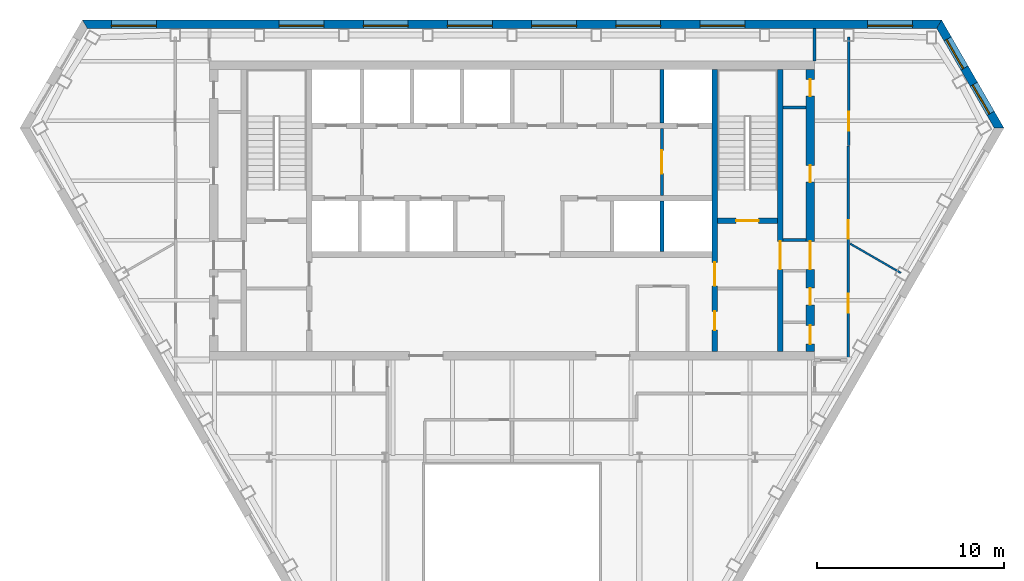
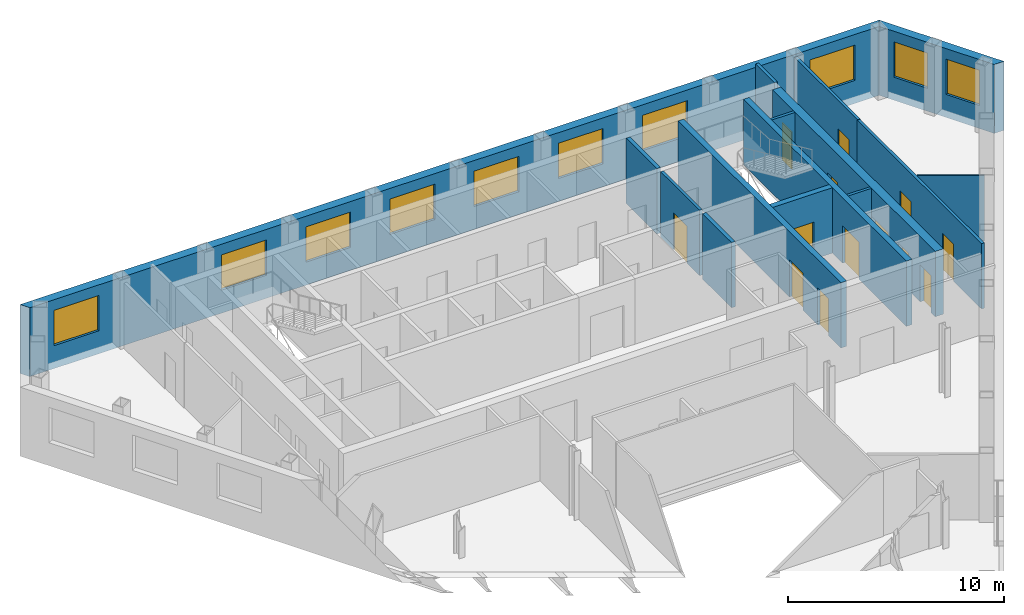
# One storey, part 7 of 10: 15 walls, 13 doors, 10 windows, 23 openings.
"""IFC4 building model written with IfcOpenShell, lengths in metres."""

from ifc_helpers import new_model, si_unit, direction, frame, frame_2d, origin, place, context, subcontext, project, spatial, polyline, rectangle, outline, extrude, material, layer, layer_set, type_object, element, fill, save


model = new_model("IFC4")

# Units and contexts
model_context = context("Model", 3, precision=1e-05, world=origin(), true_north=direction((0.0, 1.0)))
body_context = subcontext(model_context, "Body", "Model", "MODEL_VIEW")
ifc_project = project(units=[si_unit("LENGTHUNIT", "METRE"), si_unit("AREAUNIT", "SQUARE_METRE"), si_unit("VOLUMEUNIT", "CUBIC_METRE"), si_unit("PLANEANGLEUNIT", "RADIAN"), si_unit("MASSUNIT", "GRAM", prefix="KILO")], contexts=[model_context])

# Site, building, storey
site_placement = place(None, origin())
site = spatial("IfcSite", under=ifc_project, at=site_placement, CompositionType="ELEMENT")
building_placement = place(site_placement, origin())
building = spatial("IfcBuilding", under=site, at=building_placement, Name="Njiva Tower", CompositionType="ELEMENT")
storey_placement = place(building_placement, frame((0.0, 0.0, 231.6)))
storey = spatial("IfcBuildingStorey", under=building, at=storey_placement, Name="L52", CompositionType="ELEMENT", Elevation=231.6)

# Wall, openings, doors
ifc_material_1 = material(Name="Concrete C40/50", Category="concrete")
ifc_layer_1 = layer(ifc_material_1, 0.3)
ifc_layer_set_1 = layer_set([ifc_layer_1], Name="Concrete C40/50")
wall_type_1 = type_object("IfcWallType", Name="WT10 Stair enclosure wall 300", PredefinedType="SHEAR", material=ifc_layer_set_1)
wall_1_placement = place(storey_placement, frame((10.85, 2.45, 0.0), z_axis=(0.0, 0.0, 1.0), x_axis=(0.0, 1.0, 0.0)))
wall_1 = element("IfcWall", 1, at=wall_1_placement, inside=storey, type_object=wall_type_1, Name="Stair wall east inner", PredefinedType="SHEAR", context=body_context, shape_type="SweptSolid", body=[
    extrude(rectangle(XDim=15.1, YDim=0.3, at=frame_2d((7.55, 0.0))), origin(), (0.0, 0.0, 1.0), 3.7),
])
opening_1_placement = place(wall_1_placement, frame((3.525, 0.0, 0.0)))
opening_1 = element("IfcOpeningElement", 2, at=opening_1_placement, cuts=wall_1, Name="Opening S17-D920", PredefinedType="OPENING", context=body_context, shape_type="SweptSolid", body=[
    extrude(rectangle(XDim=1.25, YDim=2.1, at=frame_2d((0.625, 1.05))), frame((0.0, 0.16, 0.0), z_axis=(0.0, -1.0, 0.0), x_axis=(1.0, 0.0, 0.0)), (0.0, 0.0, 1.0), 0.32),
])
opening_2_placement = place(wall_1_placement, frame((1.15, 0.0, 0.0)))
opening_2 = element("IfcOpeningElement", 3, at=opening_2_placement, cuts=wall_1, Name="Opening S17-D921", PredefinedType="OPENING", context=body_context, shape_type="SweptSolid", body=[
    extrude(rectangle(XDim=1.0, YDim=2.1, at=frame_2d((0.5, 1.05))), frame((0.0, 0.16, 0.0), z_axis=(0.0, -1.0, 0.0), x_axis=(1.0, 0.0, 0.0)), (0.0, 0.0, 1.0), 0.32),
])
ifc_material_2 = material(Name="Steel door, painted", Category="steel")
door_type_1 = type_object("IfcDoorType", Name="D5 Steel door 1000x2100", OperationType="SINGLE_SWING_LEFT", PredefinedType="DOOR", material=ifc_material_2)
door_1_placement = place(opening_2_placement, origin())
door_1 = element("IfcDoor", 4, at=door_1_placement, inside=storey, type_object=door_type_1, Name="Meeting room door", OperationType="SINGLE_SWING_LEFT", OverallHeight=2.1, OverallWidth=1.0, PredefinedType="DOOR", context=body_context, shape_type="SweptSolid", body=[
    extrude(rectangle(XDim=1.0, YDim=2.1, at=frame_2d((0.5, 1.05))), frame((0.0, 0.025, 0.0), z_axis=(0.0, -1.0, 0.0), x_axis=(1.0, 0.0, 0.0)), (0.0, 0.0, 1.0), 0.05),
])
fill(opening_2, door_1)
ifc_material_3 = material(Name="Glazed steel fire door", Category="steel")
door_type_2 = type_object("IfcDoorType", Name="D8 Vestibule corridor door 1250x2100 glazed", OperationType="SINGLE_SWING_LEFT", PredefinedType="DOOR", material=ifc_material_3)
door_2_placement = place(opening_1_placement, origin())
door_2 = element("IfcDoor", 5, at=door_2_placement, inside=storey, type_object=door_type_2, Name="Stair vestibule corridor door", OperationType="SINGLE_SWING_RIGHT", OverallHeight=2.1, OverallWidth=1.25, PredefinedType="DOOR", context=body_context, shape_type="SweptSolid", body=[
    extrude(rectangle(XDim=1.25, YDim=2.1, at=frame_2d((0.625, 1.05))), frame((0.0, 0.025, 0.0), z_axis=(0.0, -1.0, 0.0), x_axis=(1.0, 0.0, 0.0)), (0.0, 0.0, 1.0), 0.05),
])
fill(opening_1, door_2)

# Wall, opening, door
wall_2_placement = place(storey_placement, frame((14.35, 2.45, 0.0), z_axis=(0.0, 0.0, 1.0), x_axis=(0.0, 1.0, 0.0)))
wall_2 = element("IfcWall", 6, at=wall_2_placement, inside=storey, type_object=wall_type_1, Name="Stair wall east outer", PredefinedType="SHEAR", context=body_context, shape_type="SweptSolid", body=[
    extrude(rectangle(XDim=15.1, YDim=0.3, at=frame_2d((7.55, 0.0))), origin(), (0.0, 0.0, 1.0), 3.7),
])
opening_3_placement = place(wall_2_placement, frame((4.4, 0.0, 0.0)))
opening_3 = element("IfcOpeningElement", 7, at=opening_3_placement, cuts=wall_2, Name="Opening S17-D928", PredefinedType="OPENING", context=body_context, shape_type="SweptSolid", body=[
    extrude(rectangle(XDim=1.5, YDim=2.1, at=frame_2d((0.75, 1.05))), frame((0.0, 0.16, 0.0), z_axis=(0.0, -1.0, 0.0), x_axis=(1.0, 0.0, 0.0)), (0.0, 0.0, 1.0), 0.32),
])
door_type_3 = type_object("IfcDoorType", Name="D10 Exit door double 1500x2100 glazed", OperationType="DOUBLE_DOOR_SINGLE_SWING", PredefinedType="DOOR", material=ifc_material_3)
door_3_placement = place(opening_3_placement, origin())
door_3 = element("IfcDoor", 8, at=door_3_placement, inside=storey, type_object=door_type_3, Name="Stair B passage door", OperationType="DOUBLE_DOOR_SINGLE_SWING", OverallHeight=2.1, OverallWidth=1.5, PredefinedType="DOOR", context=body_context, shape_type="SweptSolid", body=[
    extrude(rectangle(XDim=1.5, YDim=2.1, at=frame_2d((0.75, 1.05))), frame((0.0, 0.025, 0.0), z_axis=(0.0, -1.0, 0.0), x_axis=(1.0, 0.0, 0.0)), (0.0, 0.0, 1.0), 0.05),
])
fill(opening_3, door_3)

wall_3_placement = place(storey_placement, frame((11.0, 9.45, 0.0), z_axis=(0.0, 0.0, 1.0), x_axis=(1.0, 0.0, 0.0)))
wall_3 = element("IfcWall", 9, at=wall_3_placement, inside=storey, type_object=wall_type_1, Name="Stair B south wall", PredefinedType="SHEAR", context=body_context, shape_type="SweptSolid", body=[
    extrude(rectangle(XDim=3.2, YDim=0.3, at=frame_2d((1.6, 0.0))), origin(), (0.0, 0.0, 1.0), 3.7),
])
opening_4_placement = place(wall_3_placement, frame((1.0, 0.0, 0.0)))
opening_4 = element("IfcOpeningElement", 10, at=opening_4_placement, cuts=wall_3, Name="Opening S17-D919", PredefinedType="OPENING", context=body_context, shape_type="SweptSolid", body=[
    extrude(rectangle(XDim=1.2, YDim=2.1, at=frame_2d((0.6, 1.05))), frame((0.0, 0.16, 0.0), z_axis=(0.0, -1.0, 0.0), x_axis=(1.0, 0.0, 0.0)), (0.0, 0.0, 1.0), 0.32),
])
door_type_4 = type_object("IfcDoorType", Name="D7 Stair vestibule door 1200x2100 glazed", OperationType="SINGLE_SWING_LEFT", PredefinedType="DOOR", material=ifc_material_3)
door_4_placement = place(opening_4_placement, origin())
door_4 = element("IfcDoor", 11, at=door_4_placement, inside=storey, type_object=door_type_4, Name="Stair B door", OperationType="SINGLE_SWING_LEFT", OverallHeight=2.1, OverallWidth=1.2, PredefinedType="DOOR", context=body_context, shape_type="SweptSolid", body=[
    extrude(rectangle(XDim=1.2, YDim=2.1, at=frame_2d((0.6, 1.05))), frame((0.0, 0.025, 0.0), z_axis=(0.0, -1.0, 0.0), x_axis=(1.0, 0.0, 0.0)), (0.0, 0.0, 1.0), 0.05),
])
fill(opening_4, door_4)

# Wall, openings, doors
ifc_material_4 = material(Name="Concrete C60/75", Category="concrete")
ifc_layer_2 = layer(ifc_material_4, 0.45)
ifc_layer_set_2 = layer_set([ifc_layer_2], Name="Concrete C60/75")
wall_type_2 = type_object("IfcWallType", Name="WT12 Core wall 450", PredefinedType="SHEAR", material=ifc_layer_set_2)
wall_4_placement = place(storey_placement, frame((15.975, 2.45, 0.0), z_axis=(0.0, 0.0, 1.0), x_axis=(0.0, 1.0, 0.0)))
wall_4 = element("IfcWall", 12, at=wall_4_placement, inside=storey, type_object=wall_type_2, Name="Core wall east", PredefinedType="SHEAR", context=body_context, shape_type="SweptSolid", body=[
    extrude(rectangle(XDim=15.1, YDim=0.45, at=frame_2d((7.55, 0.0))), origin(), (0.0, 0.0, 1.0), 3.7),
])
opening_5_placement = place(wall_4_placement, frame((4.4, 0.0, 0.0)))
opening_5 = element("IfcOpeningElement", 13, at=opening_5_placement, cuts=wall_4, Name="Opening S17-D929", PredefinedType="OPENING", context=body_context, shape_type="SweptSolid", body=[
    extrude(rectangle(XDim=1.5, YDim=2.1, at=frame_2d((0.75, 1.05))), frame((0.0, 0.235, 0.0), z_axis=(0.0, -1.0, 0.0), x_axis=(1.0, 0.0, 0.0)), (0.0, 0.0, 1.0), 0.47),
])
opening_6_placement = place(wall_4_placement, frame((0.4, 0.0, 0.0)))
opening_6 = element("IfcOpeningElement", 14, at=opening_6_placement, cuts=wall_4, Name="Opening S17-D930", PredefinedType="OPENING", context=body_context, shape_type="SweptSolid", body=[
    extrude(rectangle(XDim=1.0, YDim=2.1, at=frame_2d((0.5, 1.05))), frame((0.0, 0.235, 0.0), z_axis=(0.0, -1.0, 0.0), x_axis=(1.0, 0.0, 0.0)), (0.0, 0.0, 1.0), 0.47),
])
opening_7_placement = place(wall_4_placement, frame((2.5, 0.0, 0.0)))
opening_7 = element("IfcOpeningElement", 15, at=opening_7_placement, cuts=wall_4, Name="Opening S17-D931", PredefinedType="OPENING", context=body_context, shape_type="SweptSolid", body=[
    extrude(rectangle(XDim=0.9, YDim=2.1, at=frame_2d((0.45, 1.05))), frame((0.0, 0.235, 0.0), z_axis=(0.0, -1.0, 0.0), x_axis=(1.0, 0.0, 0.0)), (0.0, 0.0, 1.0), 0.47),
])
opening_8_placement = place(wall_4_placement, frame((9.0707, 0.0, 0.0)))
opening_8 = element("IfcOpeningElement", 16, at=opening_8_placement, cuts=wall_4, Name="Opening S17-D932", PredefinedType="OPENING", context=body_context, shape_type="SweptSolid", body=[
    extrude(rectangle(XDim=0.9, YDim=2.1, at=frame_2d((0.45, 1.05))), frame((0.0, 0.235, 0.0), z_axis=(0.0, -1.0, 0.0), x_axis=(1.0, 0.0, 0.0)), (0.0, 0.0, 1.0), 0.47),
])
opening_9_placement = place(wall_4_placement, frame((13.6707, 0.0, 0.0)))
opening_9 = element("IfcOpeningElement", 17, at=opening_9_placement, cuts=wall_4, Name="Opening S17-D933", PredefinedType="OPENING", context=body_context, shape_type="SweptSolid", body=[
    extrude(rectangle(XDim=0.9, YDim=2.1, at=frame_2d((0.45, 1.05))), frame((0.0, 0.235, 0.0), z_axis=(0.0, -1.0, 0.0), x_axis=(1.0, 0.0, 0.0)), (0.0, 0.0, 1.0), 0.47),
])
door_5_placement = place(opening_5_placement, origin())
door_5 = element("IfcDoor", 18, at=door_5_placement, inside=storey, type_object=door_type_3, Name="Stair B corridor door", OperationType="DOUBLE_DOOR_SINGLE_SWING", OverallHeight=2.1, OverallWidth=1.5, PredefinedType="DOOR", context=body_context, shape_type="SweptSolid", body=[
    extrude(rectangle(XDim=1.5, YDim=2.1, at=frame_2d((0.75, 1.05))), frame((0.0, 0.025, 0.0), z_axis=(0.0, -1.0, 0.0), x_axis=(1.0, 0.0, 0.0)), (0.0, 0.0, 1.0), 0.05),
])
fill(opening_5, door_5)
door_type_5 = type_object("IfcDoorType", Name="D4 Riser door 900x2100", OperationType="SINGLE_SWING_LEFT", PredefinedType="DOOR", material=ifc_material_2)
door_6_placement = place(opening_9_placement, origin())
door_6 = element("IfcDoor", 19, at=door_6_placement, inside=storey, type_object=door_type_5, Name="Cable riser door", OperationType="SINGLE_SWING_RIGHT", OverallHeight=2.1, OverallWidth=0.9, PredefinedType="DOOR", context=body_context, shape_type="SweptSolid", body=[
    extrude(rectangle(XDim=0.9, YDim=2.1, at=frame_2d((0.45, 1.05))), frame((0.0, 0.025, 0.0), z_axis=(0.0, -1.0, 0.0), x_axis=(1.0, 0.0, 0.0)), (0.0, 0.0, 1.0), 0.05),
])
fill(opening_9, door_6)
door_7_placement = place(opening_6_placement, origin())
door_7 = element("IfcDoor", 20, at=door_7_placement, inside=storey, type_object=door_type_1, Name="Telecoms room door", OperationType="SINGLE_SWING_LEFT", OverallHeight=2.1, OverallWidth=1.0, PredefinedType="DOOR", context=body_context, shape_type="SweptSolid", body=[
    extrude(rectangle(XDim=1.0, YDim=2.1, at=frame_2d((0.5, 1.05))), frame((0.0, 0.025, 0.0), z_axis=(0.0, -1.0, 0.0), x_axis=(1.0, 0.0, 0.0)), (0.0, 0.0, 1.0), 0.05),
])
fill(opening_6, door_7)
ifc_material_5 = material(Name="Steel fire door, painted", Category="steel")
door_type_6 = type_object("IfcDoorType", Name="D6 Fire-rated door 900x2100", OperationType="SINGLE_SWING_LEFT", PredefinedType="DOOR", material=ifc_material_5)
door_8_placement = place(opening_7_placement, origin())
door_8 = element("IfcDoor", 21, at=door_8_placement, inside=storey, type_object=door_type_6, Name="Cable store door", OperationType="SINGLE_SWING_LEFT", OverallHeight=2.1, OverallWidth=0.9, PredefinedType="DOOR", context=body_context, shape_type="SweptSolid", body=[
    extrude(rectangle(XDim=0.9, YDim=2.1, at=frame_2d((0.45, 1.05))), frame((0.0, 0.025, 0.0), z_axis=(0.0, -1.0, 0.0), x_axis=(1.0, 0.0, 0.0)), (0.0, 0.0, 1.0), 0.05),
])
fill(opening_7, door_8)
door_9_placement = place(opening_8_placement, origin())
door_9 = element("IfcDoor", 22, at=door_9_placement, inside=storey, type_object=door_type_6, Name="Cable store door", OperationType="SINGLE_SWING_RIGHT", OverallHeight=2.1, OverallWidth=0.9, PredefinedType="DOOR", context=body_context, shape_type="SweptSolid", body=[
    extrude(rectangle(XDim=0.9, YDim=2.1, at=frame_2d((0.45, 1.05))), frame((0.0, 0.025, 0.0), z_axis=(0.0, -1.0, 0.0), x_axis=(1.0, 0.0, 0.0)), (0.0, 0.0, 1.0), 0.05),
])
fill(opening_8, door_9)

# Wall, opening, door
ifc_material_6 = material(Name="Blockwork", Category="masonry")
ifc_layer_3 = layer(ifc_material_6, 0.15)
ifc_layer_set_3 = layer_set([ifc_layer_3], Name="Blockwork")
wall_type_3 = type_object("IfcWallType", Name="WT2 Lobby partition 150", PredefinedType="PARTITIONING", material=ifc_layer_set_3)
wall_5_placement = place(storey_placement, frame((8.025, 10.8, 0.0), z_axis=(0.0, 0.0, 1.0), x_axis=(0.0, 1.0, 0.0)))
wall_5 = element("IfcWall", 23, at=wall_5_placement, inside=storey, type_object=wall_type_3, Name="Firefighting lobby wall B", PredefinedType="PARTITIONING", context=body_context, shape_type="SweptSolid", body=[
    extrude(rectangle(XDim=3.6, YDim=0.15, at=frame_2d((1.8, 0.0))), origin(), (0.0, 0.0, 1.0), 3.7),
])
opening_10_placement = place(wall_5_placement, frame((1.175, 0.0, 0.0)))
opening_10 = element("IfcOpeningElement", 24, at=opening_10_placement, cuts=wall_5, Name="Opening S17-D918", PredefinedType="OPENING", context=body_context, shape_type="SweptSolid", body=[
    extrude(rectangle(XDim=1.25, YDim=2.1, at=frame_2d((0.625, 1.05))), frame((0.0, 0.085, 0.0), z_axis=(0.0, -1.0, 0.0), x_axis=(1.0, 0.0, 0.0)), (0.0, 0.0, 1.0), 0.17),
])
door_10_placement = place(opening_10_placement, origin())
door_10 = element("IfcDoor", 25, at=door_10_placement, inside=storey, type_object=door_type_2, Name="Stair vestibule corridor door", OperationType="SINGLE_SWING_LEFT", OverallHeight=2.1, OverallWidth=1.25, PredefinedType="DOOR", context=body_context, shape_type="SweptSolid", body=[
    extrude(rectangle(XDim=1.25, YDim=2.1, at=frame_2d((0.625, 1.05))), frame((0.0, 0.025, 0.0), z_axis=(0.0, -1.0, 0.0), x_axis=(1.0, 0.0, 0.0)), (0.0, 0.0, 1.0), 0.05),
])
fill(opening_10, door_10)

# Walls
ifc_material_7 = material(Name="Gypsum board on steel studs", Category="gypsum")
ifc_layer_4 = layer(ifc_material_7, 0.1)
ifc_layer_set_4 = layer_set([ifc_layer_4], Name="Gypsum board on steel studs")
wall_type_4 = type_object("IfcWallType", Name="WT20 Gypsum partition 100", PredefinedType="PARTITIONING", material=ifc_layer_set_4)
wall_6_placement = place(storey_placement, frame((18.1, 8.229, 0.0), z_axis=(0.0, 0.0, 1.0), x_axis=(0.866058244174, -0.499943114462, 0.0)))
element("IfcWall", 26, at=wall_6_placement, inside=storey, type_object=wall_type_4, Name="Partition S17-P028", PredefinedType="PARTITIONING", context=body_context, shape_type="SweptSolid", body=[
    extrude(rectangle(XDim=3.1384, YDim=0.1, at=frame_2d((1.5692, 0.0))), origin(), (0.0, 0.0, 1.0), 3.7),
])
ifc_layer_5 = layer(ifc_material_7, 0.15)
ifc_layer_set_5 = layer_set([ifc_layer_5], Name="Gypsum board on steel studs")
wall_type_5 = type_object("IfcWallType", Name="WT21 Compartment wall 150", PredefinedType="PARTITIONING", material=ifc_layer_set_5)
wall_7_placement = place(storey_placement, frame((16.2, 18.0, 0.0), z_axis=(0.0, 0.0, 1.0), x_axis=(0.0, 1.0, 0.0)))
element("IfcWall", 27, at=wall_7_placement, inside=storey, type_object=wall_type_5, Name="Partition S17-P025", PredefinedType="PARTITIONING", context=body_context, shape_type="SweptSolid", body=[
    extrude(rectangle(XDim=1.75, YDim=0.15, at=frame_2d((0.875, 0.0))), origin(), (0.0, 0.0, 1.0), 3.7),
])

# Wall, openings, doors
wall_8_placement = place(storey_placement, frame((18.0, 1.925, 0.0), z_axis=(0.0, 0.0, 1.0), x_axis=(0.0, 1.0, 0.0)))
wall_8 = element("IfcWall", 28, at=wall_8_placement, inside=storey, type_object=wall_type_5, Name="Partition S17-P026", PredefinedType="PARTITIONING", context=body_context, shape_type="SweptSolid", body=[
    extrude(rectangle(XDim=11.533, YDim=0.15, at=frame_2d((5.7665, 0.0))), origin(), (0.0, 0.0, 1.0), 3.7),
])
opening_11_placement = place(wall_8_placement, frame((2.609, 0.0, 0.0)))
opening_11 = element("IfcOpeningElement", 29, at=opening_11_placement, cuts=wall_8, Name="Opening S17-D016", PredefinedType="OPENING", context=body_context, shape_type="SweptSolid", body=[
    extrude(rectangle(XDim=1.0, YDim=2.1, at=frame_2d((0.5, 1.05))), frame((0.0, 0.085, 0.0), z_axis=(0.0, -1.0, 0.0), x_axis=(1.0, 0.0, 0.0)), (0.0, 0.0, 1.0), 0.17),
])
opening_12_placement = place(wall_8_placement, frame((6.562, 0.0, 0.0)))
opening_12 = element("IfcOpeningElement", 30, at=opening_12_placement, cuts=wall_8, Name="Opening S17-D017", PredefinedType="OPENING", context=body_context, shape_type="SweptSolid", body=[
    extrude(rectangle(XDim=1.0, YDim=2.1, at=frame_2d((0.5, 1.05))), frame((0.0, 0.085, 0.0), z_axis=(0.0, -1.0, 0.0), x_axis=(1.0, 0.0, 0.0)), (0.0, 0.0, 1.0), 0.17),
])
ifc_material_8 = material(Name="Steel fire door set", Category="steel")
door_type_7 = type_object("IfcDoorType", Name="D37 Fire door 1000x2100", OperationType="SINGLE_SWING_LEFT", PredefinedType="DOOR", material=ifc_material_8)
door_11_placement = place(opening_11_placement, origin())
door_11 = element("IfcDoor", 31, at=door_11_placement, inside=storey, type_object=door_type_7, Name="Door S17-D016", OperationType="SINGLE_SWING_LEFT", OverallHeight=2.1, OverallWidth=1.0, PredefinedType="DOOR", context=body_context, shape_type="SweptSolid", body=[
    extrude(rectangle(XDim=1.0, YDim=2.1, at=frame_2d((0.5, 1.05))), frame((0.0, 0.025, 0.0), z_axis=(0.0, -1.0, 0.0), x_axis=(1.0, 0.0, 0.0)), (0.0, 0.0, 1.0), 0.05),
])
fill(opening_11, door_11)
door_12_placement = place(opening_12_placement, origin())
door_12 = element("IfcDoor", 32, at=door_12_placement, inside=storey, type_object=door_type_7, Name="Door S17-D017", OperationType="SINGLE_SWING_RIGHT", OverallHeight=2.1, OverallWidth=1.0, PredefinedType="DOOR", context=body_context, shape_type="SweptSolid", body=[
    extrude(rectangle(XDim=1.0, YDim=2.1, at=frame_2d((0.5, 1.05))), frame((0.0, 0.025, 0.0), z_axis=(0.0, -1.0, 0.0), x_axis=(1.0, 0.0, 0.0)), (0.0, 0.0, 1.0), 0.05),
])
fill(opening_12, door_12)

# Wall, opening, door
wall_9_placement = place(storey_placement, frame((18.027, 13.476, 0.0), z_axis=(0.0, 0.0, 1.0), x_axis=(0.0, 1.0, 0.0)))
wall_9 = element("IfcWall", 33, at=wall_9_placement, inside=storey, type_object=wall_type_5, Name="Partition S17-P027", PredefinedType="PARTITIONING", context=body_context, shape_type="SweptSolid", body=[
    extrude(rectangle(XDim=5.824, YDim=0.15, at=frame_2d((2.912, 0.0))), origin(), (0.0, 0.0, 1.0), 3.7),
])
opening_13_placement = place(wall_9_placement, frame((0.803, 0.0, 0.0)))
opening_13 = element("IfcOpeningElement", 34, at=opening_13_placement, cuts=wall_9, Name="Opening S17-D018", PredefinedType="OPENING", context=body_context, shape_type="SweptSolid", body=[
    extrude(rectangle(XDim=1.0, YDim=2.1, at=frame_2d((0.5, 1.05))), frame((0.0, 0.085, 0.0), z_axis=(0.0, -1.0, 0.0), x_axis=(1.0, 0.0, 0.0)), (0.0, 0.0, 1.0), 0.17),
])
door_13_placement = place(opening_13_placement, origin())
door_13 = element("IfcDoor", 35, at=door_13_placement, inside=storey, type_object=door_type_7, Name="Door S17-D018", OperationType="SINGLE_SWING_LEFT", OverallHeight=2.1, OverallWidth=1.0, PredefinedType="DOOR", context=body_context, shape_type="SweptSolid", body=[
    extrude(rectangle(XDim=1.0, YDim=2.1, at=frame_2d((0.5, 1.05))), frame((0.0, 0.025, 0.0), z_axis=(0.0, -1.0, 0.0), x_axis=(1.0, 0.0, 0.0)), (0.0, 0.0, 1.0), 0.05),
])
fill(opening_13, door_13)

# Walls
ifc_layer_6 = layer(ifc_material_6, 0.15)
ifc_layer_set_6 = layer_set([ifc_layer_6], Name="Blockwork")
wall_type_6 = type_object("IfcWallType", Name="WT3 Riser partition 150", PredefinedType="PARTITIONING", material=ifc_layer_set_6)
wall_10_placement = place(storey_placement, frame((14.5, 15.5163, 0.0), z_axis=(0.0, 0.0, 1.0), x_axis=(1.0, 0.0, 0.0)))
element("IfcWall", 36, at=wall_10_placement, inside=storey, type_object=wall_type_6, Name="Partition strip E10", PredefinedType="PARTITIONING", context=body_context, shape_type="SweptSolid", body=[
    extrude(rectangle(XDim=1.25, YDim=0.15, at=frame_2d((0.625, 0.0))), origin(), (0.0, 0.0, 1.0), 3.7),
])
ifc_layer_7 = layer(ifc_material_6, 0.15)
ifc_layer_set_7 = layer_set([ifc_layer_7], Name="Blockwork")
wall_type_7 = type_object("IfcWallType", Name="WT4 Stair partition 150", PredefinedType="PARTITIONING", material=ifc_layer_set_7)
wall_11_placement = place(storey_placement, frame((14.5, 8.425, 0.0), z_axis=(0.0, 0.0, 1.0), x_axis=(1.0, 0.0, 0.0)))
element("IfcWall", 37, at=wall_11_placement, inside=storey, type_object=wall_type_7, Name="Stair B exit passage wall north", PredefinedType="PARTITIONING", context=body_context, shape_type="SweptSolid", body=[
    extrude(rectangle(XDim=1.25, YDim=0.15, at=frame_2d((0.625, 0.0))), origin(), (0.0, 0.0, 1.0), 3.7),
])
ifc_layer_8 = layer(ifc_material_1, 0.2)
ifc_layer_set_8 = layer_set([ifc_layer_8], Name="Concrete C40/50")
wall_type_8 = type_object("IfcWallType", Name="WT6 Lift shaft wall 200", PredefinedType="SHEAR", material=ifc_layer_set_8)
wall_12_placement = place(storey_placement, frame((8.025, 14.7, 0.0), z_axis=(0.0, 0.0, 1.0), x_axis=(0.0, 1.0, 0.0)))
element("IfcWall", 38, at=wall_12_placement, inside=storey, type_object=wall_type_8, Name="Shaft wall CN7", PredefinedType="SHEAR", context=body_context, shape_type="SweptSolid", body=[
    extrude(rectangle(XDim=2.85, YDim=0.2, at=frame_2d((1.425, 0.0))), origin(), (0.0, 0.0, 1.0), 3.7),
])
wall_13_placement = place(storey_placement, frame((8.0333, 7.8, 0.0), z_axis=(0.0, 0.0, 1.0), x_axis=(0.0, 1.0, 0.0)))
element("IfcWall", 39, at=wall_13_placement, inside=storey, type_object=wall_type_8, Name="Shaft wall CS7", PredefinedType="SHEAR", context=body_context, shape_type="SweptSolid", body=[
    extrude(rectangle(XDim=2.7, YDim=0.2, at=frame_2d((1.35, 0.0))), origin(), (0.0, 0.0, 1.0), 3.7),
])

# Wall, openings, windows
ifc_material_9 = material(Name="Brick masonry", Category="masonry")
ifc_layer_9 = layer(ifc_material_9, 0.45)
ifc_layer_set_9 = layer_set([ifc_layer_9], Name="Brick masonry")
wall_type_9 = type_object("IfcWallType", Name="WT90 Brick pier and spandrel wall 450", PredefinedType="SOLIDWALL", material=ifc_layer_set_9)
wall_14_placement = place(storey_placement, frame((22.8651, 19.975, -0.4), z_axis=(0.0, 0.0, 1.0), x_axis=(-1.0, 0.0, 0.0)))
wall_14 = element("IfcWall", 40, at=wall_14_placement, inside=storey, type_object=wall_type_9, Name="Facade wall N", PredefinedType="SOLIDWALL", context=body_context, shape_type="SweptSolid", body=[
    extrude(outline(polyline([(-0.1299, -0.225), (45.8601, -0.225), (45.6003, 0.225), (0.1299, 0.225), (-0.1299, -0.225)])), origin(), (0.0, 0.0, 1.0), 3.9),
])
opening_14_placement = place(wall_14_placement, frame((1.4237, 0.0, 1.3)))
opening_14 = element("IfcOpeningElement", 41, at=opening_14_placement, cuts=wall_14, Name="Opening S17-W01", PredefinedType="OPENING", context=body_context, shape_type="SweptSolid", body=[
    extrude(rectangle(XDim=2.4, YDim=2.0, at=frame_2d((1.2, 1.0))), frame((0.0, 0.235, 0.0), z_axis=(0.0, -1.0, 0.0), x_axis=(1.0, 0.0, 0.0)), (0.0, 0.0, 1.0), 0.47),
])
opening_15_placement = place(wall_14_placement, frame((10.3985, 0.0, 1.3)))
opening_15 = element("IfcOpeningElement", 42, at=opening_15_placement, cuts=wall_14, Name="Opening S17-W02", PredefinedType="OPENING", context=body_context, shape_type="SweptSolid", body=[
    extrude(rectangle(XDim=2.4, YDim=2.0, at=frame_2d((1.2, 1.0))), frame((0.0, 0.235, 0.0), z_axis=(0.0, -1.0, 0.0), x_axis=(1.0, 0.0, 0.0)), (0.0, 0.0, 1.0), 0.47),
])
opening_16_placement = place(wall_14_placement, frame((14.9052, 0.0, 1.3)))
opening_16 = element("IfcOpeningElement", 43, at=opening_16_placement, cuts=wall_14, Name="Opening S17-W03", PredefinedType="OPENING", context=body_context, shape_type="SweptSolid", body=[
    extrude(rectangle(XDim=2.4, YDim=2.0, at=frame_2d((1.2, 1.0))), frame((0.0, 0.235, 0.0), z_axis=(0.0, -1.0, 0.0), x_axis=(1.0, 0.0, 0.0)), (0.0, 0.0, 1.0), 0.47),
])
opening_17_placement = place(wall_14_placement, frame((19.4118, 0.0, 1.3)))
opening_17 = element("IfcOpeningElement", 44, at=opening_17_placement, cuts=wall_14, Name="Opening S17-W04", PredefinedType="OPENING", context=body_context, shape_type="SweptSolid", body=[
    extrude(rectangle(XDim=2.4, YDim=2.0, at=frame_2d((1.2, 1.0))), frame((0.0, 0.235, 0.0), z_axis=(0.0, -1.0, 0.0), x_axis=(1.0, 0.0, 0.0)), (0.0, 0.0, 1.0), 0.47),
])
opening_18_placement = place(wall_14_placement, frame((23.9184, 0.0, 1.3)))
opening_18 = element("IfcOpeningElement", 45, at=opening_18_placement, cuts=wall_14, Name="Opening S17-W05", PredefinedType="OPENING", context=body_context, shape_type="SweptSolid", body=[
    extrude(rectangle(XDim=2.4, YDim=2.0, at=frame_2d((1.2, 1.0))), frame((0.0, 0.235, 0.0), z_axis=(0.0, -1.0, 0.0), x_axis=(1.0, 0.0, 0.0)), (0.0, 0.0, 1.0), 0.47),
])
opening_19_placement = place(wall_14_placement, frame((28.425, 0.0, 1.3)))
opening_19 = element("IfcOpeningElement", 46, at=opening_19_placement, cuts=wall_14, Name="Opening S17-W06", PredefinedType="OPENING", context=body_context, shape_type="SweptSolid", body=[
    extrude(rectangle(XDim=2.4, YDim=2.0, at=frame_2d((1.2, 1.0))), frame((0.0, 0.235, 0.0), z_axis=(0.0, -1.0, 0.0), x_axis=(1.0, 0.0, 0.0)), (0.0, 0.0, 1.0), 0.47),
])
opening_20_placement = place(wall_14_placement, frame((32.9316, 0.0, 1.3)))
opening_20 = element("IfcOpeningElement", 47, at=opening_20_placement, cuts=wall_14, Name="Opening S17-W07", PredefinedType="OPENING", context=body_context, shape_type="SweptSolid", body=[
    extrude(rectangle(XDim=2.4, YDim=2.0, at=frame_2d((1.2, 1.0))), frame((0.0, 0.235, 0.0), z_axis=(0.0, -1.0, 0.0), x_axis=(1.0, 0.0, 0.0)), (0.0, 0.0, 1.0), 0.47),
])
opening_21_placement = place(wall_14_placement, frame((41.9065, 0.0, 1.3)))
opening_21 = element("IfcOpeningElement", 48, at=opening_21_placement, cuts=wall_14, Name="Opening S17-W08", PredefinedType="OPENING", context=body_context, shape_type="SweptSolid", body=[
    extrude(rectangle(XDim=2.4, YDim=2.0, at=frame_2d((1.2, 1.0))), frame((0.0, 0.235, 0.0), z_axis=(0.0, -1.0, 0.0), x_axis=(1.0, 0.0, 0.0)), (0.0, 0.0, 1.0), 0.47),
])
ifc_material_10 = material(Name="Clear glazing in aluminium frame", Category="aluminium")
window_type_1 = type_object("IfcWindowType", Name="W90 Deep-set window 2400x2000", PartitioningType="SINGLE_PANEL", PredefinedType="WINDOW", material=ifc_material_10)
window_1_placement = place(opening_14_placement, origin())
window_1 = element("IfcWindow", 49, at=window_1_placement, inside=storey, type_object=window_type_1, Name="Window", OverallHeight=2.0, OverallWidth=2.4, PartitioningType="SINGLE_PANEL", PredefinedType="WINDOW", context=body_context, shape_type="SweptSolid", body=[
    extrude(rectangle(XDim=2.4, YDim=2.0, at=frame_2d((1.2, 1.0))), frame((0.0, 0.105, 0.0), z_axis=(0.0, -1.0, 0.0), x_axis=(1.0, 0.0, 0.0)), (0.0, 0.0, 1.0), 0.06),
])
fill(opening_14, window_1)
window_2_placement = place(opening_15_placement, origin())
window_2 = element("IfcWindow", 50, at=window_2_placement, inside=storey, type_object=window_type_1, Name="Window", OverallHeight=2.0, OverallWidth=2.4, PartitioningType="SINGLE_PANEL", PredefinedType="WINDOW", context=body_context, shape_type="SweptSolid", body=[
    extrude(rectangle(XDim=2.4, YDim=2.0, at=frame_2d((1.2, 1.0))), frame((0.0, 0.105, 0.0), z_axis=(0.0, -1.0, 0.0), x_axis=(1.0, 0.0, 0.0)), (0.0, 0.0, 1.0), 0.06),
])
fill(opening_15, window_2)
window_3_placement = place(opening_16_placement, origin())
window_3 = element("IfcWindow", 51, at=window_3_placement, inside=storey, type_object=window_type_1, Name="Window", OverallHeight=2.0, OverallWidth=2.4, PartitioningType="SINGLE_PANEL", PredefinedType="WINDOW", context=body_context, shape_type="SweptSolid", body=[
    extrude(rectangle(XDim=2.4, YDim=2.0, at=frame_2d((1.2, 1.0))), frame((0.0, 0.105, 0.0), z_axis=(0.0, -1.0, 0.0), x_axis=(1.0, 0.0, 0.0)), (0.0, 0.0, 1.0), 0.06),
])
fill(opening_16, window_3)
window_4_placement = place(opening_17_placement, origin())
window_4 = element("IfcWindow", 52, at=window_4_placement, inside=storey, type_object=window_type_1, Name="Window", OverallHeight=2.0, OverallWidth=2.4, PartitioningType="SINGLE_PANEL", PredefinedType="WINDOW", context=body_context, shape_type="SweptSolid", body=[
    extrude(rectangle(XDim=2.4, YDim=2.0, at=frame_2d((1.2, 1.0))), frame((0.0, 0.105, 0.0), z_axis=(0.0, -1.0, 0.0), x_axis=(1.0, 0.0, 0.0)), (0.0, 0.0, 1.0), 0.06),
])
fill(opening_17, window_4)
window_5_placement = place(opening_18_placement, origin())
window_5 = element("IfcWindow", 53, at=window_5_placement, inside=storey, type_object=window_type_1, Name="Window", OverallHeight=2.0, OverallWidth=2.4, PartitioningType="SINGLE_PANEL", PredefinedType="WINDOW", context=body_context, shape_type="SweptSolid", body=[
    extrude(rectangle(XDim=2.4, YDim=2.0, at=frame_2d((1.2, 1.0))), frame((0.0, 0.105, 0.0), z_axis=(0.0, -1.0, 0.0), x_axis=(1.0, 0.0, 0.0)), (0.0, 0.0, 1.0), 0.06),
])
fill(opening_18, window_5)
window_6_placement = place(opening_19_placement, origin())
window_6 = element("IfcWindow", 54, at=window_6_placement, inside=storey, type_object=window_type_1, Name="Window", OverallHeight=2.0, OverallWidth=2.4, PartitioningType="SINGLE_PANEL", PredefinedType="WINDOW", context=body_context, shape_type="SweptSolid", body=[
    extrude(rectangle(XDim=2.4, YDim=2.0, at=frame_2d((1.2, 1.0))), frame((0.0, 0.105, 0.0), z_axis=(0.0, -1.0, 0.0), x_axis=(1.0, 0.0, 0.0)), (0.0, 0.0, 1.0), 0.06),
])
fill(opening_19, window_6)
window_7_placement = place(opening_20_placement, origin())
window_7 = element("IfcWindow", 55, at=window_7_placement, inside=storey, type_object=window_type_1, Name="Window", OverallHeight=2.0, OverallWidth=2.4, PartitioningType="SINGLE_PANEL", PredefinedType="WINDOW", context=body_context, shape_type="SweptSolid", body=[
    extrude(rectangle(XDim=2.4, YDim=2.0, at=frame_2d((1.2, 1.0))), frame((0.0, 0.105, 0.0), z_axis=(0.0, -1.0, 0.0), x_axis=(1.0, 0.0, 0.0)), (0.0, 0.0, 1.0), 0.06),
])
fill(opening_20, window_7)
window_8_placement = place(opening_21_placement, origin())
window_8 = element("IfcWindow", 56, at=window_8_placement, inside=storey, type_object=window_type_1, Name="Window", OverallHeight=2.0, OverallWidth=2.4, PartitioningType="SINGLE_PANEL", PredefinedType="WINDOW", context=body_context, shape_type="SweptSolid", body=[
    extrude(rectangle(XDim=2.4, YDim=2.0, at=frame_2d((1.2, 1.0))), frame((0.0, 0.105, 0.0), z_axis=(0.0, -1.0, 0.0), x_axis=(1.0, 0.0, 0.0)), (0.0, 0.0, 1.0), 0.06),
])
fill(opening_21, window_8)

ifc_material_11 = material(Name="Brick masonry, buff", Category="masonry")
ifc_layer_10 = layer(ifc_material_11, 0.45)
ifc_layer_set_10 = layer_set([ifc_layer_10], Name="Brick masonry, buff")
wall_type_10 = type_object("IfcWallType", Name="WT94 Brick pier and spandrel wall 450, buff", PredefinedType="SOLIDWALL", material=ifc_layer_set_10)
wall_15_placement = place(storey_placement, frame((26.0789, 14.4171, -0.4), z_axis=(0.0, 0.0, 1.0), x_axis=(-0.499997052475, 0.866027105532, 0.0)))
wall_15 = element("IfcWall", 57, at=wall_15_placement, inside=storey, type_object=wall_type_10, Name="Facade wall NE", PredefinedType="SOLIDWALL", context=body_context, shape_type="SweptSolid", body=[
    extrude(outline(polyline([(-0.1299, -0.225), (6.5501, -0.225), (6.2903, 0.225), (0.1299, 0.225), (-0.1299, -0.225)])), origin(), (0.0, 0.0, 1.0), 3.9),
])
opening_22_placement = place(wall_15_placement, frame((0.9094, 0.0, 1.3)))
opening_22 = element("IfcOpeningElement", 58, at=opening_22_placement, cuts=wall_15, Name="Opening S17-W30", PredefinedType="OPENING", context=body_context, shape_type="SweptSolid", body=[
    extrude(rectangle(XDim=1.8, YDim=2.0, at=frame_2d((0.9, 1.0))), frame((0.0, 0.235, 0.0), z_axis=(0.0, -1.0, 0.0), x_axis=(1.0, 0.0, 0.0)), (0.0, 0.0, 1.0), 0.47),
])
opening_23_placement = place(wall_15_placement, frame((3.7107, 0.0, 1.3)))
opening_23 = element("IfcOpeningElement", 59, at=opening_23_placement, cuts=wall_15, Name="Opening S17-W31", PredefinedType="OPENING", context=body_context, shape_type="SweptSolid", body=[
    extrude(rectangle(XDim=1.8, YDim=2.0, at=frame_2d((0.9, 1.0))), frame((0.0, 0.235, 0.0), z_axis=(0.0, -1.0, 0.0), x_axis=(1.0, 0.0, 0.0)), (0.0, 0.0, 1.0), 0.47),
])
window_type_2 = type_object("IfcWindowType", Name="W94 Deep-set window 1800x2000", PartitioningType="SINGLE_PANEL", PredefinedType="WINDOW", material=ifc_material_10)
window_9_placement = place(opening_22_placement, origin())
window_9 = element("IfcWindow", 60, at=window_9_placement, inside=storey, type_object=window_type_2, Name="Window", OverallHeight=2.0, OverallWidth=1.8, PartitioningType="SINGLE_PANEL", PredefinedType="WINDOW", context=body_context, shape_type="SweptSolid", body=[
    extrude(rectangle(XDim=1.8, YDim=2.0, at=frame_2d((0.9, 1.0))), frame((0.0, 0.105, 0.0), z_axis=(0.0, -1.0, 0.0), x_axis=(1.0, 0.0, 0.0)), (0.0, 0.0, 1.0), 0.06),
])
fill(opening_22, window_9)
window_10_placement = place(opening_23_placement, origin())
window_10 = element("IfcWindow", 61, at=window_10_placement, inside=storey, type_object=window_type_2, Name="Window", OverallHeight=2.0, OverallWidth=1.8, PartitioningType="SINGLE_PANEL", PredefinedType="WINDOW", context=body_context, shape_type="SweptSolid", body=[
    extrude(rectangle(XDim=1.8, YDim=2.0, at=frame_2d((0.9, 1.0))), frame((0.0, 0.105, 0.0), z_axis=(0.0, -1.0, 0.0), x_axis=(1.0, 0.0, 0.0)), (0.0, 0.0, 1.0), 0.06),
])
fill(opening_23, window_10)

save(model, "model.ifc")
